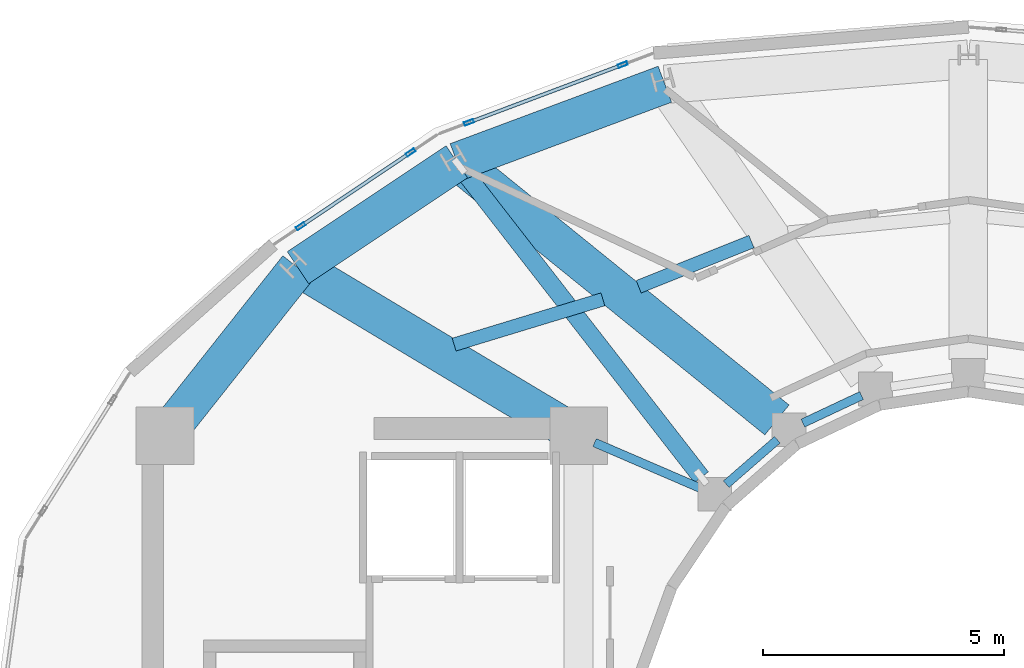
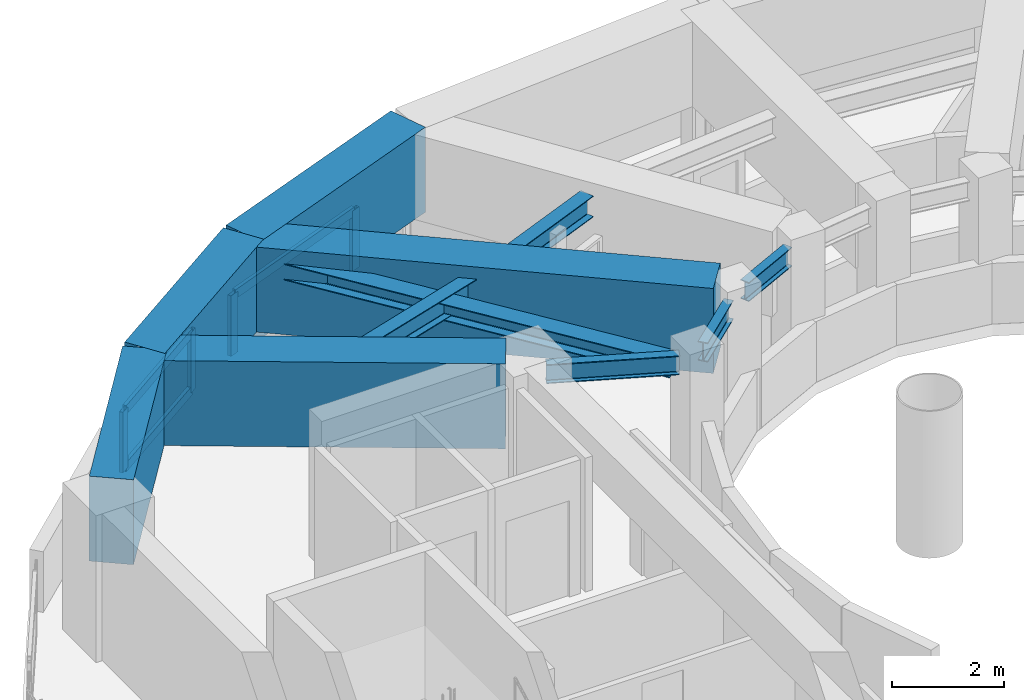
# One storey, part 7 of 17: 10 beams, 9 members, 2 elements without a shape of their own.
"""IFC4 building model written with IfcOpenShell, lengths in metres."""

import ifcopenshell
import ifcopenshell.guid

model = None  # the IFC model being written
_history = None  # IfcOwnerHistory: only IFC2X3 demands one
_inside = {}  # id of a spatial element -> (the spatial element, [elements in it])
_under = {}  # id of a project, library or spatial element -> (it, [spatial elements below it])
_declared = {}  # id of a project -> (the project, [libraries it declares])
_typed = {}  # id of a type object -> (the type object, [elements of that type])
_made_of = {}  # id of a material, layer set ... -> (it, [elements and type objects made of it])


def new_model(schema):
    """Start an empty IFC model of exactly this schema.

    Asked for "IFC4X3", IfcOpenShell would pick the latest addendum, in which some entities
    have other attributes; the version numbers below select the first issue.
    IFC2X3 requires an IfcOwnerHistory on every rooted entity: one is made here for all.
    """
    global model, _history
    if schema == "IFC4X3":
        model = ifcopenshell.file(schema_version=(4, 3, 0, 0))
    else:
        model = ifcopenshell.file(schema=schema)
    _inside.clear()
    _under.clear()
    _declared.clear()
    _typed.clear()
    _made_of.clear()
    _history = None
    if model.schema == "IFC2X3":
        org = make("IfcOrganization", Name="unknown")
        user = make(
            "IfcPersonAndOrganization",
            ThePerson=make("IfcPerson", FamilyName="unknown"),
            TheOrganization=org,
        )
        app = make(
            "IfcApplication",
            ApplicationDeveloper=org,
            Version="unknown",
            ApplicationFullName="unknown",
            ApplicationIdentifier="unknown",
        )
        _history = make(
            "IfcOwnerHistory",
            OwningUser=user,
            OwningApplication=app,
            ChangeAction="ADDED",
            CreationDate=0,
        )
    return model


def make(cls, **values):
    """One entity of the class cls with the attributes given. An attribute that is None is left unset."""
    return model.create_entity(
        cls, **{name: value for name, value in values.items() if value is not None}
    )


def rooted(cls, **values):
    """An entity with a GlobalId (a new one), such as an element, a storey or a relation."""
    return make(cls, GlobalId=ifcopenshell.guid.new(), OwnerHistory=_history, **values)


def si_unit(unit_type, name, prefix=None):
    """IfcSIUnit, for example si_unit("LENGTHUNIT", "METRE", prefix="MILLI")."""
    return make("IfcSIUnit", UnitType=unit_type, Prefix=prefix, Name=name)


def assignment(units):
    """IfcUnitAssignment: the units of a project."""
    return None if units is None else make("IfcUnitAssignment", Units=units)


def point(xyz):
    """IfcCartesianPoint."""
    return None if xyz is None else make("IfcCartesianPoint", Coordinates=xyz)


def direction(xyz):
    """IfcDirection."""
    return None if xyz is None else make("IfcDirection", DirectionRatios=xyz)


def frame(location, z_axis=None, x_axis=None):
    """IfcAxis2Placement3D, a coordinate frame: its origin and axes. An axis left out is left unset."""
    return make(
        "IfcAxis2Placement3D",
        Location=point(location),
        Axis=direction(z_axis),
        RefDirection=direction(x_axis),
    )


def frame_2d(location, x_axis=None):
    """IfcAxis2Placement2D, a coordinate frame in the plane: its origin and x axis."""
    return make(
        "IfcAxis2Placement2D", Location=point(location), RefDirection=direction(x_axis)
    )


def origin():
    """The frame at (0, 0, 0) with its axes left unset."""
    return frame((0.0, 0.0, 0.0))


def origin_2d():
    """The frame at (0, 0) in the plane with its x axis left unset."""
    return frame_2d((0.0, 0.0))


def place(relative_to, where):
    """IfcLocalPlacement: puts the frame where relative to a parent placement (None: the world)."""
    return make(
        "IfcLocalPlacement", PlacementRelTo=relative_to, RelativePlacement=where
    )


def context(
    kind, dimensions, precision=None, world=None, true_north=None, identifier=None
):
    """IfcGeometricRepresentationContext, for example the 3D "Model" context."""
    return make(
        "IfcGeometricRepresentationContext",
        ContextIdentifier=identifier,
        ContextType=kind,
        CoordinateSpaceDimension=dimensions,
        Precision=precision,
        WorldCoordinateSystem=world,
        TrueNorth=true_north,
    )


def subcontext(parent, identifier, kind, view, scale=None):
    """IfcGeometricRepresentationSubContext, for example "Body" below "Model"."""
    return make(
        "IfcGeometricRepresentationSubContext",
        ContextIdentifier=identifier,
        ContextType=kind,
        ParentContext=parent,
        TargetScale=scale,
        TargetView=view,
    )


def project(units=None, contexts=None):
    """IfcProject with its units and contexts."""
    return rooted(
        "IfcProject",
        Name="project",
        RepresentationContexts=contexts,
        UnitsInContext=assignment(units),
    )


def spatial(cls, under=None, at=None, **own):
    """A site, building, storey or space (cls), placed at a placement, below another one or the project."""
    s = rooted(cls, ObjectPlacement=at, **own)
    if under is not None:
        _under.setdefault(under.id(), (under, []))[1].append(s)
    return s


def profile(cls, at=None, kind="AREA", **sizes):
    """A parametric profile (cls). Its sizes go by their IFC names, for example OverallWidth=200.0."""
    return make(cls, ProfileType=kind, Position=at, **sizes)


def rectangle(**sizes):
    """IfcRectangleProfileDef."""
    return profile("IfcRectangleProfileDef", **sizes)


def hollow_rectangle(**sizes):
    """IfcRectangleHollowProfileDef."""
    return profile("IfcRectangleHollowProfileDef", **sizes)


def i_section(**sizes):
    """IfcIShapeProfileDef."""
    return profile("IfcIShapeProfileDef", **sizes)


def extrude(swept, where, along, depth):
    """IfcExtrudedAreaSolid: the profile swept, set in the frame where, extruded along a direction by depth."""
    return make(
        "IfcExtrudedAreaSolid",
        SweptArea=swept,
        Position=where,
        ExtrudedDirection=direction(along),
        Depth=depth,
    )


def shape(context_of_items, identifier, shape_type, items):
    """IfcShapeRepresentation: the items that make up one representation, for example the "Body"."""
    return make(
        "IfcShapeRepresentation",
        ContextOfItems=context_of_items,
        RepresentationIdentifier=identifier,
        RepresentationType=shape_type,
        Items=items,
    )


def material(Name=None, Category=None):
    """IfcMaterial."""
    return make("IfcMaterial", Name=Name, Category=Category)


def layer(
    of_material, thickness, ventilated=None, Name=None, Category=None, Priority=None
):
    """IfcMaterialLayer: one layer of a wall or slab, of a material (None: an air gap)."""
    return make(
        "IfcMaterialLayer",
        Material=of_material,
        LayerThickness=thickness,
        IsVentilated=ventilated,
        Name=Name,
        Category=Category,
        Priority=Priority,
    )


def layer_set(layers, Name=None):
    """IfcMaterialLayerSet."""
    return make("IfcMaterialLayerSet", MaterialLayers=layers, LayerSetName=Name)


def material_profile(
    of_material, cross_section, Name=None, Category=None, Priority=None
):
    """IfcMaterialProfile: a cross section and its material."""
    return make(
        "IfcMaterialProfile",
        Name=Name,
        Material=of_material,
        Profile=cross_section,
        Priority=Priority,
        Category=Category,
    )


def profile_set(profiles, Name=None, composite=None):
    """IfcMaterialProfileSet."""
    return make(
        "IfcMaterialProfileSet",
        Name=Name,
        MaterialProfiles=profiles,
        CompositeProfile=composite,
    )


def made_of(thing, what):
    """Note that an element or type object is made of a material, layer set ...; save() writes the relation."""
    if what is not None:
        _made_of.setdefault(what.id(), (what, []))[1].append(thing)
    return thing


def type_object(cls, material=None, **own):
    """A type object (cls), such as IfcWallType, which elements share."""
    return made_of(rooted(cls, **own), material)


def element(
    cls,
    number,
    at=None,
    inside=None,
    cuts=None,
    type_object=None,
    material=None,
    context=None,
    identifier="Body",
    shape_type=None,
    held_by="IfcProductDefinitionShape",
    body=None,
    shapes=None,
    **own,
):
    """One element of the class cls, such as IfcWall. Its Tag is "e" and its number.

    at: its placement. inside: the storey or other place that contains it. cuts: it is an
    opening in that element (IfcRelVoidsElement). A single representation is given by context,
    identifier, shape_type and body (its items); several are given by shapes. held_by: the class
    of the entity that holds the representations. save() writes the other relations.
    """
    e = rooted(cls, Tag="e%d" % number, ObjectPlacement=at, **own)
    if body is not None:
        shapes = [shape(context, identifier, shape_type, body)]
    if shapes is not None:
        e.Representation = make(held_by, Representations=shapes)
    if inside is not None:
        _inside.setdefault(inside.id(), (inside, []))[1].append(e)
    if cuts is not None:
        rooted(
            "IfcRelVoidsElement", RelatingBuildingElement=cuts, RelatedOpeningElement=e
        )
    if type_object is not None:
        _typed.setdefault(type_object.id(), (type_object, []))[1].append(e)
    return made_of(e, material)


def aggregate(whole, parts):
    """IfcRelAggregates: a whole, such as a stair, and the parts it consists of."""
    return rooted("IfcRelAggregates", RelatingObject=whole, RelatedObjects=parts)


def save(model, path):
    """Write the relations noted so far, then the file.

    IfcRelAggregates (storeys below a building ...), IfcRelContainedInSpatialStructure (elements
    in a storey), IfcRelDefinesByType, IfcRelAssociatesMaterial and IfcRelDeclares: one each for
    every whole, place, type object, material and project.
    """
    for whole, parts in _under.values():
        aggregate(whole, parts)
    for where, things in _inside.values():
        rooted(
            "IfcRelContainedInSpatialStructure",
            RelatedElements=things,
            RelatingStructure=where,
        )
    for kind, things in _typed.values():
        rooted("IfcRelDefinesByType", RelatedObjects=things, RelatingType=kind)
    for what, things in _made_of.values():
        rooted("IfcRelAssociatesMaterial", RelatedObjects=things, RelatingMaterial=what)
    for by, libraries in _declared.values():
        rooted("IfcRelDeclares", RelatingContext=by, RelatedDefinitions=libraries)
    model.write(path)


model = new_model("IFC4")

# Units and contexts
model_context = context("Model", 3, precision=1e-05, world=origin(), true_north=direction((0.0, 1.0)))
body_context = subcontext(model_context, "Body", "Model", "MODEL_VIEW")
ifc_project = project(units=[si_unit("LENGTHUNIT", "METRE"), si_unit("AREAUNIT", "SQUARE_METRE"), si_unit("VOLUMEUNIT", "CUBIC_METRE"), si_unit("PLANEANGLEUNIT", "RADIAN"), si_unit("MASSUNIT", "GRAM", prefix="KILO")], contexts=[model_context])

# Site, building, storey
site_placement = place(None, origin())
site = spatial("IfcSite", under=ifc_project, at=site_placement, CompositionType="ELEMENT")
building_placement = place(site_placement, origin())
building = spatial("IfcBuilding", under=site, at=building_placement, Name="Solvane Sanctuary Tower", CompositionType="ELEMENT")
storey_placement = place(building_placement, frame((0.0, 0.0, 273.199951171875)))
storey = spatial("IfcBuildingStorey", under=building, at=storey_placement, Name="L83", CompositionType="ELEMENT", Elevation=273.199951171875)

# Beams
ifc_material_1 = material(Name="Steel ASTM A992 Grade 50", Category="steel")
ifc_material_profile_1 = material_profile(ifc_material_1, i_section(OverallWidth=0.180908203125, OverallDepth=0.4169921875, WebThickness=0.010986328125, FlangeThickness=0.018310546875, FilletRadius=0.012939453125, at=origin_2d()), Name="W16X57")
ifc_profile_set_1 = profile_set([ifc_material_profile_1], Name="Steel ASTM A992 Grade 50")
beam_type_1 = type_object("IfcBeamType", Name="Beam B-ROOF-BM W16X57", PredefinedType="BEAM", material=ifc_profile_set_1)
beam_1_placement = place(storey_placement, frame((24.230712890625, 30.0576171875, 2.7294921875), z_axis=(0.918283854026, -0.395922673554, 0.0), x_axis=(0.395922673554, 0.918283854026, 0.0)))
element("IfcBeam", 1, at=beam_1_placement, inside=storey, type_object=beam_type_1, Name="L83 Inner Light-Well Ring Beam CW3-IC07", PredefinedType="BEAM", context=body_context, shape_type="SweptSolid", body=[
    extrude(i_section(OverallWidth=0.180908203125, OverallDepth=0.4169921875, WebThickness=0.010986328125, FlangeThickness=0.018310546875, FilletRadius=0.012939453125, at=origin_2d()), origin(), (0.0, 0.0, 1.0), 2.396240234375),
])
beam_2_placement = place(storey_placement, frame((26.96630859375, 29.192138671875, 2.7294921875), z_axis=(0.754388985763, 0.656427648839, 0.0), x_axis=(-0.656427648839, 0.754388985763, 0.0)))
element("IfcBeam", 2, at=beam_2_placement, inside=storey, type_object=beam_type_1, Name="L83 Inner Light-Well Ring Beam IC07-IC06", PredefinedType="BEAM", context=body_context, shape_type="SweptSolid", body=[
    extrude(i_section(OverallWidth=0.180908203125, OverallDepth=0.4169921875, WebThickness=0.010986328125, FlangeThickness=0.018310546875, FilletRadius=0.012939453125, at=origin_2d()), origin(), (0.0, 0.0, 1.0), 1.408203125),
])
beam_3_placement = place(storey_placement, frame((28.5595703125, 30.462646484375, 2.7294921875), z_axis=(0.905134542189, 0.425125229241, 0.0), x_axis=(-0.425125229241, 0.905134542189, 0.0)))
element("IfcBeam", 3, at=beam_3_placement, inside=storey, type_object=beam_type_1, Name="L83 Inner Light-Well Ring Beam IC06-IC05", PredefinedType="BEAM", context=body_context, shape_type="SweptSolid", body=[
    extrude(i_section(OverallWidth=0.180908203125, OverallDepth=0.4169921875, WebThickness=0.010986328125, FlangeThickness=0.018310546875, FilletRadius=0.012939453125, at=origin_2d()), origin(), (0.0, 0.0, 1.0), 1.347900390625),
])
ifc_material_profile_2 = material_profile(ifc_material_1, i_section(OverallWidth=0.280029296875, OverallDepth=0.462890625, WebThickness=0.0107421875, FlangeThickness=0.017333984375, FilletRadius=0.013916015625, at=origin_2d()), Name="W18X76")
ifc_profile_set_2 = profile_set([ifc_material_profile_2], Name="Steel ASTM A992 Grade 50")
beam_type_2 = type_object("IfcBeamType", Name="Beam B-SEC-JOIST W18X76", PredefinedType="JOIST", material=ifc_profile_set_2)
beam_4_placement = place(storey_placement, frame((21.310546875, 32.093994140625, 2.70654296875), z_axis=(0.956698573482, 0.291080469109, 0.0), x_axis=(-0.291080469109, 0.956698573482, 0.0)))
element("IfcBeam", 4, at=beam_4_placement, inside=storey, type_object=beam_type_2, Name="L83 Secondary Circumferential Joist 07-06", PredefinedType="JOIST", context=body_context, shape_type="SweptSolid", body=[
    extrude(i_section(OverallWidth=0.280029296875, OverallDepth=0.462890625, WebThickness=0.0107421875, FlangeThickness=0.017333984375, FilletRadius=0.013916015625, at=origin_2d()), origin(), (0.0, 0.0, 1.0), 3.232421875),
])
beam_5_placement = place(storey_placement, frame((25.147705078125, 33.296630859375, 2.70654296875), z_axis=(0.928229732521, 0.372007477967, 0.0), x_axis=(-0.372007477967, 0.928229732521, 0.0)))
element("IfcBeam", 5, at=beam_5_placement, inside=storey, type_object=beam_type_2, Name="L83 Secondary Circumferential Joist 06-05", PredefinedType="JOIST", context=body_context, shape_type="SweptSolid", body=[
    extrude(i_section(OverallWidth=0.280029296875, OverallDepth=0.462890625, WebThickness=0.0107421875, FlangeThickness=0.017333984375, FilletRadius=0.013916015625, at=origin_2d()), origin(), (0.0, 0.0, 1.0), 2.524658203125),
])
ifc_material_2 = material(Name="Concrete C70/85", Category="concrete")
ifc_material_profile_3 = material_profile(ifc_material_2, rectangle(XDim=0.800048828125, YDim=1.85009765625, at=origin_2d()), Name="RC800X1850")
ifc_profile_set_3 = profile_set([ifc_material_profile_3], Name="Concrete C70/85")
beam_type_3 = type_object("IfcBeamType", Name="Beam B-XFER-BLK RC800X1850", PredefinedType="BEAM", material=ifc_profile_set_3)
beam_6_placement = place(storey_placement, frame((28.021240234375, 30.52783203125, 2.275146484375), z_axis=(-0.777377081736, 0.629034874067, 0.0), x_axis=(-0.629034874067, -0.777377081736, 0.0)))
element("IfcBeam", 6, at=beam_6_placement, inside=storey, type_object=beam_type_3, Name="L83 Block-Shift Radial Transfer Girder 06A", PredefinedType="BEAM", context=body_context, shape_type="SweptSolid", body=[
    extrude(rectangle(XDim=0.800048828125, YDim=1.85009765625, at=origin_2d()), origin(), (0.0, 0.0, 1.0), 8.556396484375),
])
beam_7_placement = place(storey_placement, frame((23.59130859375, 30.385009765625, 2.275146484375), z_axis=(-0.85766296009, 0.514212258595, 0.0), x_axis=(-0.514212258595, -0.85766296009, 0.0)))
element("IfcBeam", 7, at=beam_7_placement, inside=storey, type_object=beam_type_3, Name="L83 Block-Shift Radial Transfer Girder 07A", PredefinedType="BEAM", context=body_context, shape_type="SweptSolid", body=[
    extrude(rectangle(XDim=0.800048828125, YDim=1.85009765625, at=origin_2d()), origin(), (0.0, 0.0, 1.0), 6.45947265625),
])
beam_8_placement = place(storey_placement, frame((15.5234375, 30.482421875, 2.275146484375), z_axis=(0.620658656837, 0.784080883387, 0.0), x_axis=(-0.784080883387, 0.620658656837, 0.0)))
element("IfcBeam", 8, at=beam_8_placement, inside=storey, type_object=beam_type_3, Name="L83 Perimeter Step Transfer Ring CW4-NTC07", PredefinedType="BEAM", context=body_context, shape_type="SweptSolid", body=[
    extrude(rectangle(XDim=0.800048828125, YDim=1.85009765625, at=origin_2d()), origin(), (0.0, 0.0, 1.0), 4.094970703125),
])
beam_9_placement = place(storey_placement, frame((18.06494140625, 33.693115234375, 2.275146484375), z_axis=(0.832059756054, 0.554686003389, 0.0), x_axis=(-0.554686003389, 0.832059756054, 0.0)))
element("IfcBeam", 9, at=beam_9_placement, inside=storey, type_object=beam_type_3, Name="L83 Perimeter Step Transfer Ring NTC07-NTC06", PredefinedType="BEAM", context=body_context, shape_type="SweptSolid", body=[
    extrude(rectangle(XDim=0.800048828125, YDim=1.85009765625, at=origin_2d()), origin(), (0.0, 0.0, 1.0), 3.9697265625),
])
beam_10_placement = place(storey_placement, frame((21.367919921875, 35.89501953125, 2.275146484375), z_axis=(0.937079399513, 0.349116311575, 0.0), x_axis=(-0.349116311575, 0.937079399513, 0.0)))
element("IfcBeam", 10, at=beam_10_placement, inside=storey, type_object=beam_type_3, Name="L83 Perimeter Step Transfer Ring NTC06-NTC05", PredefinedType="BEAM", context=body_context, shape_type="SweptSolid", body=[
    extrude(rectangle(XDim=0.800048828125, YDim=1.85009765625, at=origin_2d()), origin(), (0.0, 0.0, 1.0), 4.614013671875),
])

# Member
ifc_material_profile_4 = material_profile(ifc_material_1, i_section(OverallWidth=0.368896484375, OverallDepth=0.35595703125, WebThickness=0.01123046875, FlangeThickness=0.01806640625, FilletRadius=0.02490234375, at=origin_2d()), Name="W14X90")
ifc_profile_set_4 = profile_set([ifc_material_profile_4], Name="Steel ASTM A992 Grade 50")
member_type_1 = type_object("IfcMemberType", Name="Member M-CROWN-TIE W14X90", PredefinedType="CHORD", material=ifc_profile_set_4)
member_1_placement = place(storey_placement, frame((26.447021484375, 29.33984375, 2.540771484375), z_axis=(-0.613454062996, 0.789374326697, 0.023712548261), x_axis=(-0.789596346981, -0.613626603754, 0.0)))
element("IfcMember", 11, at=member_1_placement, inside=storey, type_object=member_type_1, Name="L83 Crown Bracing Tie 07", PredefinedType="CHORD", context=body_context, shape_type="SweptSolid", body=[
    extrude(i_section(OverallWidth=0.368896484375, OverallDepth=0.35595703125, WebThickness=0.01123046875, FlangeThickness=0.01806640625, FilletRadius=0.02490234375, at=origin_2d()), origin(), (0.0, 0.0, 1.0), 8.185302734375),
])

# Curtain wall, members
ifc_material_3 = material(Name="Anodised Aluminium 6063-T6", Category="aluminium")
ifc_layer = layer(ifc_material_3, 0.219970703125, Name="Anodised Aluminium 6063-T6")
ifc_layer_set = layer_set([ifc_layer], Name="Anodised Aluminium 6063-T6")
curtain_wall_type = type_object("IfcCurtainWallType", Name="Curtain Wall CW-CROWN", PredefinedType="NOTDEFINED", material=ifc_layer_set)
curtain_wall_1_placement = place(storey_placement, origin())
curtain_wall_1 = element("IfcCurtainWall", 12, at=curtain_wall_1_placement, inside=storey, type_object=curtain_wall_type, Name="L83 Crown Fritted Lantern Curtain Wall 07", PredefinedType="NOTDEFINED")
ifc_material_profile_5 = material_profile(ifc_material_3, hollow_rectangle(XDim=0.074951171875, YDim=0.199951171875, WallThickness=0.00390625, at=origin_2d()), Name="ALU200X75X4")
ifc_profile_set_5 = profile_set([ifc_material_profile_5], Name="Anodised Aluminium 6063-T6")
member_type_2 = type_object("IfcMemberType", Name="Member M-CW-MUL-1 ALU200X75X4", PredefinedType="MULLION", material=ifc_profile_set_5)
member_2_placement = place(storey_placement, frame((24.81591796875, 37.912109375, 0.0), z_axis=(0.0, 0.0, 1.0), x_axis=(0.351475292665, -0.936197157999, 0.0)))
member_2 = element("IfcMember", 13, at=member_2_placement, type_object=member_type_2, Name="CW-CROWN mullion 1", PredefinedType="MULLION", context=body_context, shape_type="SweptSolid", body=[
    extrude(hollow_rectangle(XDim=0.074951171875, YDim=0.199951171875, WallThickness=0.00390625, at=origin_2d()), origin(), (0.0, 0.0, 1.0), 1.320068359375),
])
member_3_placement = place(storey_placement, frame((21.62060546875, 36.71240234375, 0.0), z_axis=(0.0, 0.0, 1.0), x_axis=(0.351475292665, -0.936197157999, 0.0)))
member_3 = element("IfcMember", 14, at=member_3_placement, type_object=member_type_2, Name="CW-CROWN mullion 2", PredefinedType="MULLION", context=body_context, shape_type="SweptSolid", body=[
    extrude(hollow_rectangle(XDim=0.074951171875, YDim=0.199951171875, WallThickness=0.00390625, at=origin_2d()), origin(), (0.0, 0.0, 1.0), 1.320068359375),
])

curtain_wall_2_placement = place(storey_placement, origin())
curtain_wall_2 = element("IfcCurtainWall", 15, at=curtain_wall_2_placement, inside=storey, type_object=curtain_wall_type, Name="L83 Crown Fritted Lantern Curtain Wall 08", PredefinedType="NOTDEFINED")
member_4_placement = place(storey_placement, frame((20.40625, 36.08740234375, 0.0), z_axis=(0.0, 0.0, 1.0), x_axis=(0.5575314263, -0.830155833978, 0.0)))
member_4 = element("IfcMember", 16, at=member_4_placement, type_object=member_type_2, Name="CW-CROWN mullion 1", PredefinedType="MULLION", context=body_context, shape_type="SweptSolid", body=[
    extrude(hollow_rectangle(XDim=0.074951171875, YDim=0.199951171875, WallThickness=0.00390625, at=origin_2d()), origin(), (0.0, 0.0, 1.0), 1.320068359375),
])
member_5_placement = place(storey_placement, frame((18.123291015625, 34.55419921875, 0.0), z_axis=(0.0, 0.0, 1.0), x_axis=(0.5575314263, -0.830155833978, 0.0)))
member_5 = element("IfcMember", 17, at=member_5_placement, type_object=member_type_2, Name="CW-CROWN mullion 2", PredefinedType="MULLION", context=body_context, shape_type="SweptSolid", body=[
    extrude(hollow_rectangle(XDim=0.074951171875, YDim=0.199951171875, WallThickness=0.00390625, at=origin_2d()), origin(), (0.0, 0.0, 1.0), 1.320068359375),
])

# Member
ifc_material_profile_6 = material_profile(ifc_material_3, hollow_rectangle(XDim=0.074951171875, YDim=0.199951171875, WallThickness=0.00390625, at=origin_2d()), Name="ALU200X75X4")
ifc_profile_set_6 = profile_set([ifc_material_profile_6], Name="Anodised Aluminium 6063-T6")
member_type_3 = type_object("IfcMemberType", Name="Member M-CW-TRN-2 ALU200X75X4", PredefinedType="USERDEFINED", material=ifc_profile_set_6)
member_6_placement = place(storey_placement, frame((24.781005859375, 37.89892578125, 0.03759765625), z_axis=(-0.936193859501, -0.351484078491, 0.0), x_axis=(0.351484078491, -0.936193859501, 0.0)))
member_6 = element("IfcMember", 18, at=member_6_placement, type_object=member_type_3, Name="CW-CROWN transom 1.1", ObjectType="TRANSOM", PredefinedType="USERDEFINED", context=body_context, shape_type="SweptSolid", body=[
    extrude(hollow_rectangle(XDim=0.074951171875, YDim=0.199951171875, WallThickness=0.00390625, at=origin_2d()), origin(), (0.0, 0.0, 1.0), 3.338134765625),
])

member_7_placement = place(storey_placement, frame((24.781005859375, 37.89892578125, 1.282470703125), z_axis=(-0.936193859501, -0.351484078491, 0.0), x_axis=(0.351484078491, -0.936193859501, 0.0)))
member_7 = element("IfcMember", 19, at=member_7_placement, type_object=member_type_3, Name="CW-CROWN transom 1.2", ObjectType="TRANSOM", PredefinedType="USERDEFINED", context=body_context, shape_type="SweptSolid", body=[
    extrude(hollow_rectangle(XDim=0.074951171875, YDim=0.199951171875, WallThickness=0.00390625, at=origin_2d()), origin(), (0.0, 0.0, 1.0), 3.338134765625),
])

aggregate(curtain_wall_1, [member_2, member_3, member_6, member_7])

member_8_placement = place(storey_placement, frame((20.375244140625, 36.06640625, 0.03759765625), z_axis=(-0.83017829126, -0.557497986293, 0.0), x_axis=(0.557497986293, -0.83017829126, 0.0)))
member_8 = element("IfcMember", 20, at=member_8_placement, type_object=member_type_3, Name="CW-CROWN transom 1.1", ObjectType="TRANSOM", PredefinedType="USERDEFINED", context=body_context, shape_type="SweptSolid", body=[
    extrude(hollow_rectangle(XDim=0.074951171875, YDim=0.199951171875, WallThickness=0.00390625, at=origin_2d()), origin(), (0.0, 0.0, 1.0), 2.67529296875),
])

member_9_placement = place(storey_placement, frame((20.375244140625, 36.06640625, 1.282470703125), z_axis=(-0.83017829126, -0.557497986293, 0.0), x_axis=(0.557497986293, -0.83017829126, 0.0)))
member_9 = element("IfcMember", 21, at=member_9_placement, type_object=member_type_3, Name="CW-CROWN transom 1.2", ObjectType="TRANSOM", PredefinedType="USERDEFINED", context=body_context, shape_type="SweptSolid", body=[
    extrude(hollow_rectangle(XDim=0.074951171875, YDim=0.199951171875, WallThickness=0.00390625, at=origin_2d()), origin(), (0.0, 0.0, 1.0), 2.67529296875),
])

aggregate(curtain_wall_2, [member_4, member_5, member_8, member_9])

save(model, "model.ifc")
